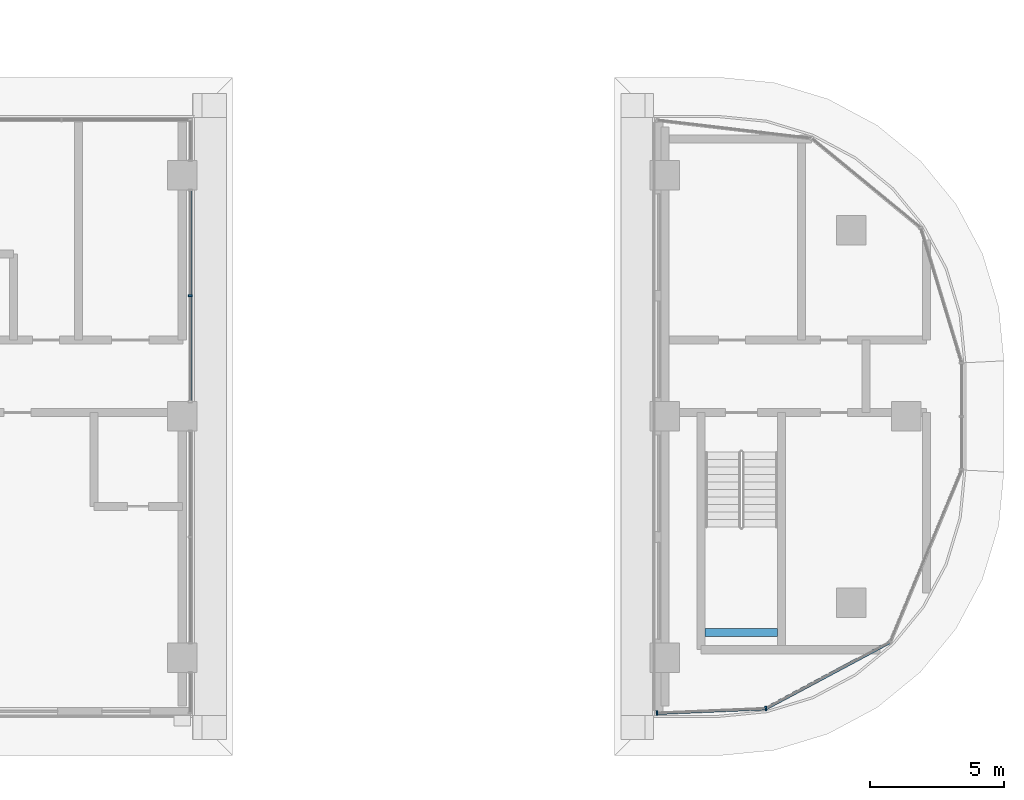
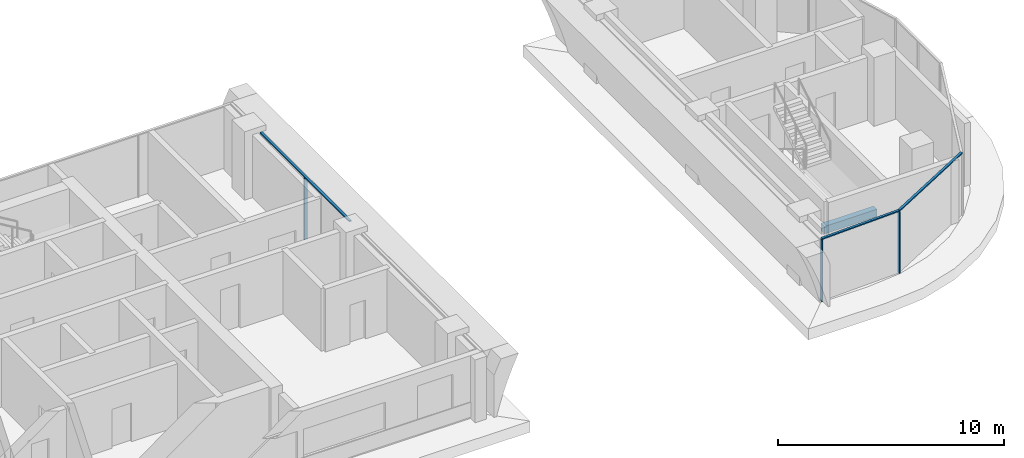
# One storey, part 3 of 26: 6 members, 1 beam, 2 elements without a shape of their own.
"""IFC4 building model written with IfcOpenShell, lengths in metres."""

import ifcopenshell
import ifcopenshell.guid

model = None  # the IFC model being written
_history = None  # IfcOwnerHistory: only IFC2X3 demands one
_inside = {}  # id of a spatial element -> (the spatial element, [elements in it])
_under = {}  # id of a project, library or spatial element -> (it, [spatial elements below it])
_declared = {}  # id of a project -> (the project, [libraries it declares])
_typed = {}  # id of a type object -> (the type object, [elements of that type])
_made_of = {}  # id of a material, layer set ... -> (it, [elements and type objects made of it])


def new_model(schema):
    """Start an empty IFC model of exactly this schema.

    Asked for "IFC4X3", IfcOpenShell would pick the latest addendum, in which some entities
    have other attributes; the version numbers below select the first issue.
    IFC2X3 requires an IfcOwnerHistory on every rooted entity: one is made here for all.
    """
    global model, _history
    if schema == "IFC4X3":
        model = ifcopenshell.file(schema_version=(4, 3, 0, 0))
    else:
        model = ifcopenshell.file(schema=schema)
    _inside.clear()
    _under.clear()
    _declared.clear()
    _typed.clear()
    _made_of.clear()
    _history = None
    if model.schema == "IFC2X3":
        org = make("IfcOrganization", Name="unknown")
        user = make(
            "IfcPersonAndOrganization",
            ThePerson=make("IfcPerson", FamilyName="unknown"),
            TheOrganization=org,
        )
        app = make(
            "IfcApplication",
            ApplicationDeveloper=org,
            Version="unknown",
            ApplicationFullName="unknown",
            ApplicationIdentifier="unknown",
        )
        _history = make(
            "IfcOwnerHistory",
            OwningUser=user,
            OwningApplication=app,
            ChangeAction="ADDED",
            CreationDate=0,
        )
    return model


def make(cls, **values):
    """One entity of the class cls with the attributes given. An attribute that is None is left unset."""
    return model.create_entity(
        cls, **{name: value for name, value in values.items() if value is not None}
    )


def rooted(cls, **values):
    """An entity with a GlobalId (a new one), such as an element, a storey or a relation."""
    return make(cls, GlobalId=ifcopenshell.guid.new(), OwnerHistory=_history, **values)


def si_unit(unit_type, name, prefix=None):
    """IfcSIUnit, for example si_unit("LENGTHUNIT", "METRE", prefix="MILLI")."""
    return make("IfcSIUnit", UnitType=unit_type, Prefix=prefix, Name=name)


def assignment(units):
    """IfcUnitAssignment: the units of a project."""
    return None if units is None else make("IfcUnitAssignment", Units=units)


def point(xyz):
    """IfcCartesianPoint."""
    return None if xyz is None else make("IfcCartesianPoint", Coordinates=xyz)


def direction(xyz):
    """IfcDirection."""
    return None if xyz is None else make("IfcDirection", DirectionRatios=xyz)


def frame(location, z_axis=None, x_axis=None):
    """IfcAxis2Placement3D, a coordinate frame: its origin and axes. An axis left out is left unset."""
    return make(
        "IfcAxis2Placement3D",
        Location=point(location),
        Axis=direction(z_axis),
        RefDirection=direction(x_axis),
    )


def frame_2d(location, x_axis=None):
    """IfcAxis2Placement2D, a coordinate frame in the plane: its origin and x axis."""
    return make(
        "IfcAxis2Placement2D", Location=point(location), RefDirection=direction(x_axis)
    )


def origin():
    """The frame at (0, 0, 0) with its axes left unset."""
    return frame((0.0, 0.0, 0.0))


def origin_2d():
    """The frame at (0, 0) in the plane with its x axis left unset."""
    return frame_2d((0.0, 0.0))


def place(relative_to, where):
    """IfcLocalPlacement: puts the frame where relative to a parent placement (None: the world)."""
    return make(
        "IfcLocalPlacement", PlacementRelTo=relative_to, RelativePlacement=where
    )


def context(
    kind, dimensions, precision=None, world=None, true_north=None, identifier=None
):
    """IfcGeometricRepresentationContext, for example the 3D "Model" context."""
    return make(
        "IfcGeometricRepresentationContext",
        ContextIdentifier=identifier,
        ContextType=kind,
        CoordinateSpaceDimension=dimensions,
        Precision=precision,
        WorldCoordinateSystem=world,
        TrueNorth=true_north,
    )


def subcontext(parent, identifier, kind, view, scale=None):
    """IfcGeometricRepresentationSubContext, for example "Body" below "Model"."""
    return make(
        "IfcGeometricRepresentationSubContext",
        ContextIdentifier=identifier,
        ContextType=kind,
        ParentContext=parent,
        TargetScale=scale,
        TargetView=view,
    )


def project(units=None, contexts=None):
    """IfcProject with its units and contexts."""
    return rooted(
        "IfcProject",
        Name="project",
        RepresentationContexts=contexts,
        UnitsInContext=assignment(units),
    )


def spatial(cls, under=None, at=None, **own):
    """A site, building, storey or space (cls), placed at a placement, below another one or the project."""
    s = rooted(cls, ObjectPlacement=at, **own)
    if under is not None:
        _under.setdefault(under.id(), (under, []))[1].append(s)
    return s


def profile(cls, at=None, kind="AREA", **sizes):
    """A parametric profile (cls). Its sizes go by their IFC names, for example OverallWidth=200.0."""
    return make(cls, ProfileType=kind, Position=at, **sizes)


def rectangle(**sizes):
    """IfcRectangleProfileDef."""
    return profile("IfcRectangleProfileDef", **sizes)


def extrude(swept, where, along, depth):
    """IfcExtrudedAreaSolid: the profile swept, set in the frame where, extruded along a direction by depth."""
    return make(
        "IfcExtrudedAreaSolid",
        SweptArea=swept,
        Position=where,
        ExtrudedDirection=direction(along),
        Depth=depth,
    )


def shape(context_of_items, identifier, shape_type, items):
    """IfcShapeRepresentation: the items that make up one representation, for example the "Body"."""
    return make(
        "IfcShapeRepresentation",
        ContextOfItems=context_of_items,
        RepresentationIdentifier=identifier,
        RepresentationType=shape_type,
        Items=items,
    )


def material(Name=None, Category=None):
    """IfcMaterial."""
    return make("IfcMaterial", Name=Name, Category=Category)


def material_profile(
    of_material, cross_section, Name=None, Category=None, Priority=None
):
    """IfcMaterialProfile: a cross section and its material."""
    return make(
        "IfcMaterialProfile",
        Name=Name,
        Material=of_material,
        Profile=cross_section,
        Priority=Priority,
        Category=Category,
    )


def profile_set(profiles, Name=None, composite=None):
    """IfcMaterialProfileSet."""
    return make(
        "IfcMaterialProfileSet",
        Name=Name,
        MaterialProfiles=profiles,
        CompositeProfile=composite,
    )


def made_of(thing, what):
    """Note that an element or type object is made of a material, layer set ...; save() writes the relation."""
    if what is not None:
        _made_of.setdefault(what.id(), (what, []))[1].append(thing)
    return thing


def type_object(cls, material=None, **own):
    """A type object (cls), such as IfcWallType, which elements share."""
    return made_of(rooted(cls, **own), material)


def element(
    cls,
    number,
    at=None,
    inside=None,
    cuts=None,
    type_object=None,
    material=None,
    context=None,
    identifier="Body",
    shape_type=None,
    held_by="IfcProductDefinitionShape",
    body=None,
    shapes=None,
    **own,
):
    """One element of the class cls, such as IfcWall. Its Tag is "e" and its number.

    at: its placement. inside: the storey or other place that contains it. cuts: it is an
    opening in that element (IfcRelVoidsElement). A single representation is given by context,
    identifier, shape_type and body (its items); several are given by shapes. held_by: the class
    of the entity that holds the representations. save() writes the other relations.
    """
    e = rooted(cls, Tag="e%d" % number, ObjectPlacement=at, **own)
    if body is not None:
        shapes = [shape(context, identifier, shape_type, body)]
    if shapes is not None:
        e.Representation = make(held_by, Representations=shapes)
    if inside is not None:
        _inside.setdefault(inside.id(), (inside, []))[1].append(e)
    if cuts is not None:
        rooted(
            "IfcRelVoidsElement", RelatingBuildingElement=cuts, RelatedOpeningElement=e
        )
    if type_object is not None:
        _typed.setdefault(type_object.id(), (type_object, []))[1].append(e)
    return made_of(e, material)


def aggregate(whole, parts):
    """IfcRelAggregates: a whole, such as a stair, and the parts it consists of."""
    return rooted("IfcRelAggregates", RelatingObject=whole, RelatedObjects=parts)


def save(model, path):
    """Write the relations noted so far, then the file.

    IfcRelAggregates (storeys below a building ...), IfcRelContainedInSpatialStructure (elements
    in a storey), IfcRelDefinesByType, IfcRelAssociatesMaterial and IfcRelDeclares: one each for
    every whole, place, type object, material and project.
    """
    for whole, parts in _under.values():
        aggregate(whole, parts)
    for where, things in _inside.values():
        rooted(
            "IfcRelContainedInSpatialStructure",
            RelatedElements=things,
            RelatingStructure=where,
        )
    for kind, things in _typed.values():
        rooted("IfcRelDefinesByType", RelatedObjects=things, RelatingType=kind)
    for what, things in _made_of.values():
        rooted("IfcRelAssociatesMaterial", RelatedObjects=things, RelatingMaterial=what)
    for by, libraries in _declared.values():
        rooted("IfcRelDeclares", RelatingContext=by, RelatedDefinitions=libraries)
    model.write(path)


model = new_model("IFC4")

# Units and contexts
model_context = context("Model", 3, precision=1e-05, world=origin(), true_north=direction((0.0, 1.0)))
body_context = subcontext(model_context, "Body", "Model", "MODEL_VIEW")
ifc_project = project(units=[si_unit("LENGTHUNIT", "METRE"), si_unit("AREAUNIT", "SQUARE_METRE"), si_unit("VOLUMEUNIT", "CUBIC_METRE"), si_unit("PLANEANGLEUNIT", "RADIAN"), si_unit("MASSUNIT", "GRAM", prefix="KILO")], contexts=[model_context])

# Site, building, storey
site_placement = place(None, origin())
site = spatial("IfcSite", under=ifc_project, at=site_placement, CompositionType="ELEMENT")
building_placement = place(site_placement, origin())
building = spatial("IfcBuilding", under=site, at=building_placement, Name="Ogive Portal Towers", CompositionType="ELEMENT")
storey_placement = place(building_placement, frame((0.0, 0.0, 171.800048828125)))
storey = spatial("IfcBuildingStorey", under=building, at=storey_placement, Name="L42", CompositionType="ELEMENT", Elevation=171.800048828125)

# Beam
ifc_material_1 = material(Name="Concrete C40/50", Category="concrete")
ifc_material_profile_1 = material_profile(ifc_material_1, rectangle(XDim=0.300048828125, YDim=0.39990234375, at=origin_2d()), Name="RC 300x400")
ifc_profile_set_1 = profile_set([ifc_material_profile_1], Name="Concrete C40/50")
beam_type = type_object("IfcBeamType", Name="BEAM RC 300x400", PredefinedType="BEAM", material=ifc_profile_set_1)
beam_placement = place(storey_placement, frame((87.0, 22.449951171875, 1.449951171875), z_axis=(1.0, 0.0, 0.0), x_axis=(0.0, 1.0, 0.0)))
element("IfcBeam", 1, at=beam_placement, inside=storey, type_object=beam_type, Name="Landing beam L42", PredefinedType="BEAM", context=body_context, shape_type="SweptSolid", body=[
    extrude(rectangle(XDim=0.300048828125, YDim=0.39990234375, at=origin_2d()), origin(), (0.0, 0.0, 1.0), 2.699951171875),
])

# Curtain wall, member
ifc_material_2 = material(Name="Glass, clear low-iron insulated glazing", Category="glass")
curtain_wall_type = type_object("IfcCurtainWallType", Name="CW FRONT RIBBON 4500", PredefinedType="NOTDEFINED", material=ifc_material_2)
curtain_wall_1_placement = place(storey_placement, origin())
curtain_wall_1 = element("IfcCurtainWall", 2, at=curtain_wall_1_placement, inside=storey, type_object=curtain_wall_type, Name="A:L42:f09:cw0~2", PredefinedType="NOTDEFINED")
ifc_material_3 = material(Name="Aluminium 6063 anodised", Category="aluminium")
ifc_material_profile_2 = material_profile(ifc_material_3, rectangle(XDim=0.159912109375, YDim=0.06005859375, at=origin_2d()), Name="AL 60x160")
ifc_profile_set_2 = profile_set([ifc_material_profile_2], Name="Aluminium 6063 anodised")
member_type_1 = type_object("IfcMemberType", Name="CW MULLION 60x160", PredefinedType="MULLION", material=ifc_profile_set_2)
member_1_placement = place(storey_placement, frame((67.800048828125, 35.0, 0.0), z_axis=(0.0, 0.0, 1.0), x_axis=(-1.0, 0.0, 0.0)))
member_1 = element("IfcMember", 3, at=member_1_placement, type_object=member_type_1, Name="mullion", PredefinedType="MULLION", context=body_context, shape_type="SweptSolid", body=[
    extrude(rectangle(XDim=0.159912109375, YDim=0.06005859375, at=origin_2d()), origin(), (0.0, 0.0, 1.0), 3.33984375),
])

# Curtain wall, members
curtain_wall_2_placement = place(storey_placement, origin())
curtain_wall_2 = element("IfcCurtainWall", 4, at=curtain_wall_2_placement, inside=storey, type_object=curtain_wall_type, Name="A:L42:f28:cwa", PredefinedType="NOTDEFINED")
member_2_placement = place(storey_placement, frame((85.199951171875, 19.4384765625, 0.0), z_axis=(0.0, 0.0, 1.0), x_axis=(-0.04216092926, 0.999110832713, 0.0)))
member_2 = element("IfcMember", 5, at=member_2_placement, type_object=member_type_1, Name="mullion", PredefinedType="MULLION", context=body_context, shape_type="SweptSolid", body=[
    extrude(rectangle(XDim=0.159912109375, YDim=0.06005859375, at=origin_2d()), origin(), (0.0, 0.0, 1.0), 3.33984375),
])
member_3_placement = place(storey_placement, frame((89.262451171875, 19.60986328125, 0.0), z_axis=(0.0, 0.0, 1.0), x_axis=(-0.04216092926, 0.999110832713, 0.0)))
member_3 = element("IfcMember", 6, at=member_3_placement, type_object=member_type_1, Name="mullion", PredefinedType="MULLION", context=body_context, shape_type="SweptSolid", body=[
    extrude(rectangle(XDim=0.159912109375, YDim=0.06005859375, at=origin_2d()), origin(), (0.0, 0.0, 1.0), 3.33984375),
])

# Member
ifc_material_profile_3 = material_profile(ifc_material_3, rectangle(XDim=0.1201171875, YDim=0.06005859375, at=origin_2d()), Name="AL 120x60")
ifc_profile_set_3 = profile_set([ifc_material_profile_3], Name="Aluminium 6063 anodised")
member_type_2 = type_object("IfcMemberType", Name="CW TRANSOM 60x120", PredefinedType="USERDEFINED", material=ifc_profile_set_3)
member_4_placement = place(storey_placement, frame((67.800048828125, 31.050048828125, 3.369873046875), z_axis=(0.0, 1.0, 0.0), x_axis=(-1.0, 0.0, 0.0)))
member_4 = element("IfcMember", 7, at=member_4_placement, type_object=member_type_2, Name="transom", ObjectType="TRANSOM", PredefinedType="USERDEFINED", context=body_context, shape_type="SweptSolid", body=[
    extrude(rectangle(XDim=0.1201171875, YDim=0.06005859375, at=origin_2d()), origin(), (0.0, 0.0, 1.0), 7.89990234375),
])

aggregate(curtain_wall_1, [member_4, member_1])

member_5_placement = place(storey_placement, frame((85.199951171875, 19.4384765625, 3.369873046875), z_axis=(0.999111293526, 0.042150007696, 0.0), x_axis=(-0.042150007696, 0.999111293526, 0.0)))
member_5 = element("IfcMember", 8, at=member_5_placement, type_object=member_type_2, Name="transom", ObjectType="TRANSOM", PredefinedType="USERDEFINED", context=body_context, shape_type="SweptSolid", body=[
    extrude(rectangle(XDim=0.1201171875, YDim=0.06005859375, at=origin_2d()), origin(), (0.0, 0.0, 1.0), 4.066162109375),
])

member_6_placement = place(storey_placement, frame((89.262451171875, 19.60986328125, 3.369873046875), z_axis=(0.881922357811, 0.471394691095, 0.0), x_axis=(-0.471394691095, 0.881922357811, 0.0)))
member_6 = element("IfcMember", 9, at=member_6_placement, type_object=member_type_2, Name="transom", ObjectType="TRANSOM", PredefinedType="USERDEFINED", context=body_context, shape_type="SweptSolid", body=[
    extrude(rectangle(XDim=0.1201171875, YDim=0.06005859375, at=origin_2d()), origin(), (0.0, 0.0, 1.0), 5.262451171875),
])

aggregate(curtain_wall_2, [member_5, member_6, member_2, member_3])

save(model, "model.ifc")
